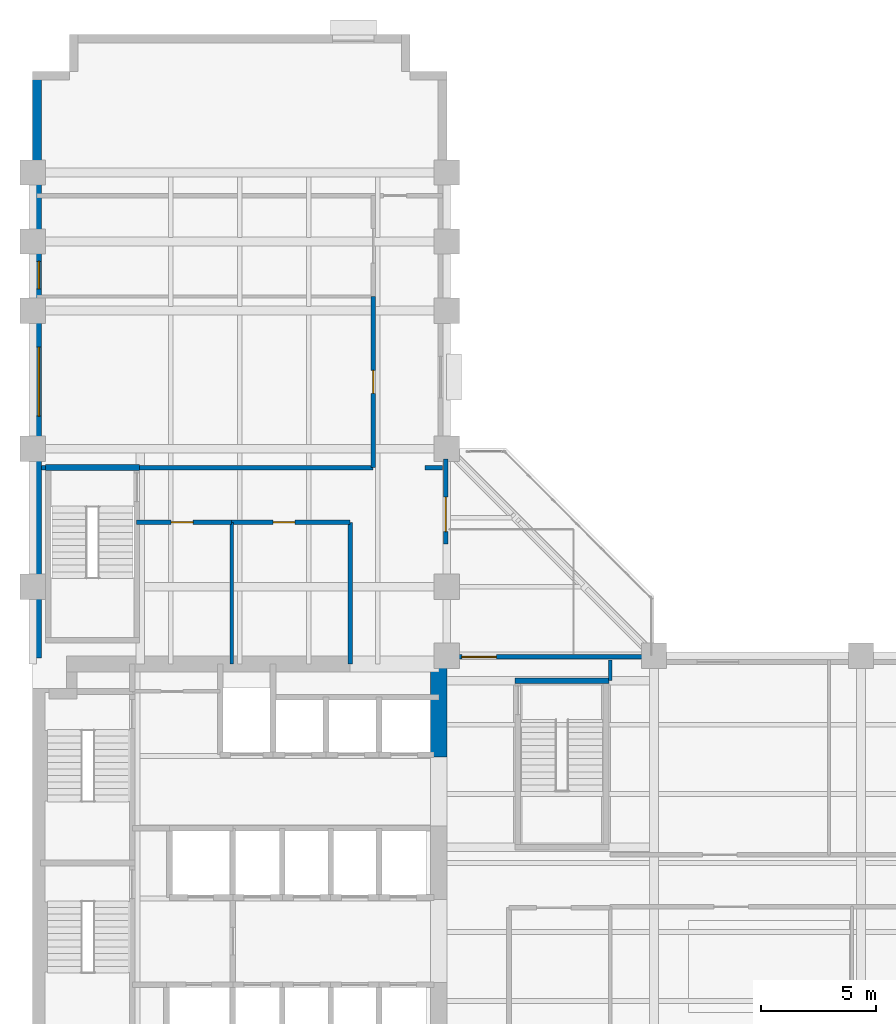
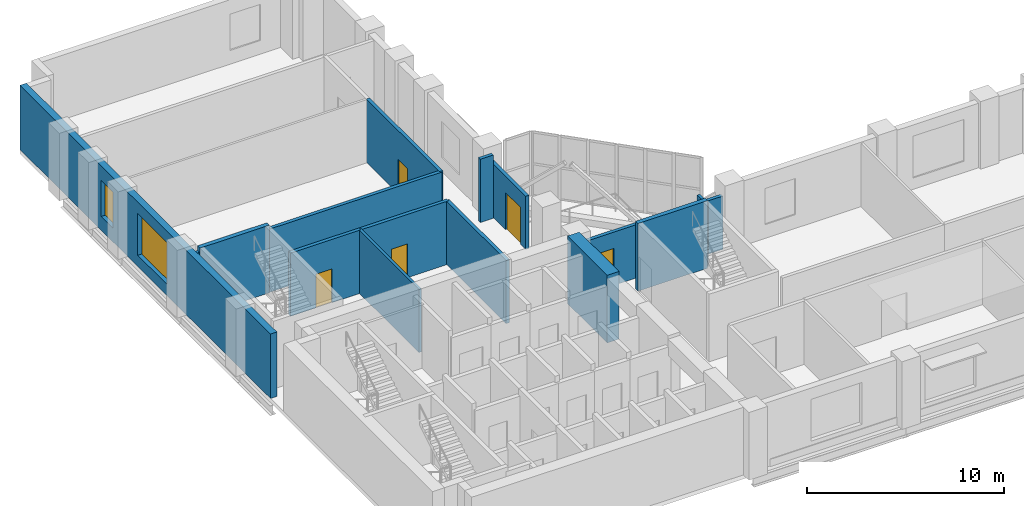
# One storey, part 6 of 10: 15 walls, 5 doors, 2 windows, 7 openings.
"""IFC4 building model written with IfcOpenShell, lengths in metres."""

from ifc_helpers import new_model, si_unit, direction, frame, frame_2d, origin, place, context, subcontext, project, spatial, rectangle, extrude, material, layer, layer_set, type_object, element, fill, save


model = new_model("IFC4")

# Units and contexts
model_context = context("Model", 3, precision=1e-05, world=origin(), true_north=direction((0.0, 1.0)))
body_context = subcontext(model_context, "Body", "Model", "MODEL_VIEW")
ifc_project = project(units=[si_unit("LENGTHUNIT", "METRE"), si_unit("AREAUNIT", "SQUARE_METRE"), si_unit("VOLUMEUNIT", "CUBIC_METRE"), si_unit("PLANEANGLEUNIT", "RADIAN"), si_unit("MASSUNIT", "GRAM", prefix="KILO")], contexts=[model_context])

# Site, building, storey
site_placement = place(None, origin())
site = spatial("IfcSite", under=ifc_project, at=site_placement, CompositionType="ELEMENT")
building_placement = place(site_placement, origin())
building = spatial("IfcBuilding", under=site, at=building_placement, Name="Mawjdan Bourse Tower", CompositionType="ELEMENT")
storey_placement = place(building_placement, frame((0.0, 0.0, 89.10009765625)))
storey = spatial("IfcBuildingStorey", under=building, at=storey_placement, Name="L20", CompositionType="ELEMENT", Elevation=89.10009765625)

# Wall, openings, windows
ifc_material_1 = material(Name="Brick Masonry Terracotta Red", Category="masonry")
ifc_layer_1 = layer(ifc_material_1, 0.3798828125)
ifc_layer_set_1 = layer_set([ifc_layer_1], Name="Brick Masonry Terracotta Red")
wall_type_1 = type_object("IfcWallType", Name="WL-BRK-RED-380", PredefinedType="STANDARD", material=ifc_layer_set_1)
wall_1_placement = place(storey_placement, frame((6.18994140625, 46.39990234375, 0.0), z_axis=(0.0, 0.0, 1.0), x_axis=(0.0, -1.0, 0.0)))
wall_1 = element("IfcWall", 1, at=wall_1_placement, inside=storey, type_object=wall_type_1, Name="L20 Exterior Brick Wall 14", PredefinedType="STANDARD", context=body_context, shape_type="SweptSolid", body=[
    extrude(rectangle(XDim=25.5, YDim=0.3798828125, at=frame_2d((12.75, 0.0))), origin(), (0.0, 0.0, 1.0), 4.0),
])
opening_1_placement = place(wall_1_placement, frame((11.984375, 0.0, 0.699951171875)))
opening_1 = element("IfcOpeningElement", 2, at=opening_1_placement, cuts=wall_1, Name="Opening W-L20-12", PredefinedType="OPENING", context=body_context, shape_type="SweptSolid", body=[
    extrude(rectangle(XDim=3.0, YDim=2.60009765625, at=frame_2d((1.5, 1.300048828125))), frame((0.0, 0.199951171875, 0.0), z_axis=(0.0, -1.0, 0.0), x_axis=(1.0, 0.0, 0.0)), (0.0, 0.0, 1.0), 0.39990234375),
])
opening_2_placement = place(wall_1_placement, frame((8.25439453125, 0.0, 0.85009765625)))
opening_2 = element("IfcOpeningElement", 3, at=opening_2_placement, cuts=wall_1, Name="Opening W-L20-13", PredefinedType="OPENING", context=body_context, shape_type="SweptSolid", body=[
    extrude(rectangle(XDim=1.199951171875, YDim=2.25, at=frame_2d((0.60009765625, 1.125))), frame((0.0, 0.199951171875, 0.0), z_axis=(0.0, -1.0, 0.0), x_axis=(1.0, 0.0, 0.0)), (0.0, 0.0, 1.0), 0.39990234375),
])
ifc_material_2 = material(Name="Solar-Control Clear Double Glazing", Category="glass")
window_type_1 = type_object("IfcWindowType", Name="WN-SKY-3000", PartitioningType="SINGLE_PANEL", PredefinedType="WINDOW", material=ifc_material_2)
window_1_placement = place(opening_1_placement, origin())
window_1 = element("IfcWindow", 4, at=window_1_placement, inside=storey, type_object=window_type_1, Name="L20 Deep-Set Masonry Window W-L20-12", OverallHeight=2.60009765625, OverallWidth=3.0, PartitioningType="SINGLE_PANEL", PredefinedType="WINDOW", context=body_context, shape_type="SweptSolid", body=[
    extrude(rectangle(XDim=3.0, YDim=2.60009765625, at=frame_2d((1.5, 1.300048828125))), frame((0.0, 0.110107421875, 0.0), z_axis=(0.0, -1.0, 0.0), x_axis=(1.0, 0.0, 0.0)), (0.0, 0.0, 1.0), 0.06005859375),
])
fill(opening_1, window_1)
window_type_2 = type_object("IfcWindowType", Name="WN-Z2-1200", PartitioningType="SINGLE_PANEL", PredefinedType="WINDOW", material=ifc_material_2)
window_2_placement = place(opening_2_placement, origin())
window_2 = element("IfcWindow", 5, at=window_2_placement, inside=storey, type_object=window_type_2, Name="L20 Deep-Set Masonry Window W-L20-13", OverallHeight=2.25, OverallWidth=1.199951171875, PartitioningType="SINGLE_PANEL", PredefinedType="WINDOW", context=body_context, shape_type="SweptSolid", body=[
    extrude(rectangle(XDim=1.199951171875, YDim=2.25, at=frame_2d((0.60009765625, 1.125))), frame((0.0, 0.110107421875, 0.0), z_axis=(0.0, -1.0, 0.0), x_axis=(1.0, 0.0, 0.0)), (0.0, 0.0, 1.0), 0.06005859375),
])
fill(opening_2, window_2)

# Wall, opening, door
ifc_material_3 = material(Name="Gypsum Fireboard Assembly")
ifc_layer_2 = layer(ifc_material_3, 0.199951171875)
ifc_layer_set_2 = layer_set([ifc_layer_2], Name="Gypsum Fireboard Assembly")
wall_type_2 = type_object("IfcWallType", Name="WL-CMP-200", PredefinedType="PARTITIONING", material=ifc_layer_set_2)
wall_2_placement = place(storey_placement, frame((23.949951171875, 25.85009765625, 0.0), z_axis=(0.0, 0.0, 1.0), x_axis=(0.0, 1.0, 0.0)))
wall_2 = element("IfcWall", 6, at=wall_2_placement, inside=storey, type_object=wall_type_2, Name="L20 Sky Bridge West Portal Wall", PredefinedType="PARTITIONING", context=body_context, shape_type="SweptSolid", body=[
    extrude(rectangle(XDim=3.699951171875, YDim=0.199951171875, at=frame_2d((1.85009765625, 0.0))), origin(), (0.0, 0.0, 1.0), 3.31298828125),
])
opening_3_placement = place(wall_2_placement, frame((0.550048828125, 0.0, 0.0)))
opening_3 = element("IfcOpeningElement", 7, at=opening_3_placement, cuts=wall_2, Name="Opening BD-L20-24", PredefinedType="OPENING", context=body_context, shape_type="SweptSolid", body=[
    extrude(rectangle(XDim=1.5, YDim=2.300048828125, at=frame_2d((0.75, 1.14990234375))), frame((0.0, 0.10986328125, 0.0), z_axis=(0.0, -1.0, 0.0), x_axis=(1.0, 0.0, 0.0)), (0.0, 0.0, 1.0), 0.219970703125),
])
ifc_material_4 = material(Name="Acoustic Glazed Timber", Category="wood")
door_type_1 = type_object("IfcDoorType", Name="DR-CNF-1500", OperationType="DOUBLE_DOOR_SINGLE_SWING", PredefinedType="DOOR", material=ifc_material_4)
door_1_placement = place(opening_3_placement, origin())
door_1 = element("IfcDoor", 8, at=door_1_placement, inside=storey, type_object=door_type_1, Name="L20 Sky Bridge West Portal Door BD-L20-24", OperationType="DOUBLE_DOOR_SINGLE_SWING", OverallHeight=2.300048828125, OverallWidth=1.5, PredefinedType="DOOR", context=body_context, shape_type="SweptSolid", body=[
    extrude(rectangle(XDim=1.5, YDim=2.300048828125, at=frame_2d((0.75, 1.14990234375))), frame((0.0, 0.02490234375, 0.0), z_axis=(0.0, -1.0, 0.0), x_axis=(1.0, 0.0, 0.0)), (0.0, 0.0, 1.0), 0.050048828125),
])
fill(opening_3, door_1)

wall_3_placement = place(storey_placement, frame((24.050048828125, 20.949951171875, 0.0), z_axis=(0.0, 0.0, 1.0), x_axis=(1.0, 0.0, 0.0)))
wall_3 = element("IfcWall", 9, at=wall_3_placement, inside=storey, type_object=wall_type_2, Name="L20 Sky Bridge South Portal Wall", PredefinedType="PARTITIONING", context=body_context, shape_type="SweptSolid", body=[
    extrude(rectangle(XDim=8.5, YDim=0.199951171875, at=frame_2d((4.25, 0.0))), origin(), (0.0, 0.0, 1.0), 3.31298828125),
])
opening_4_placement = place(wall_3_placement, frame((0.60009765625, 0.0, 0.0)))
opening_4 = element("IfcOpeningElement", 10, at=opening_4_placement, cuts=wall_3, Name="Opening BD-L20-25", PredefinedType="OPENING", context=body_context, shape_type="SweptSolid", body=[
    extrude(rectangle(XDim=1.5, YDim=2.300048828125, at=frame_2d((0.75, 1.14990234375))), frame((0.0, 0.10986328125, 0.0), z_axis=(0.0, -1.0, 0.0), x_axis=(1.0, 0.0, 0.0)), (0.0, 0.0, 1.0), 0.219970703125),
])
door_2_placement = place(opening_4_placement, origin())
door_2 = element("IfcDoor", 11, at=door_2_placement, inside=storey, type_object=door_type_1, Name="L20 Sky Bridge South Portal Door BD-L20-25", OperationType="DOUBLE_DOOR_SINGLE_SWING", OverallHeight=2.300048828125, OverallWidth=1.5, PredefinedType="DOOR", context=body_context, shape_type="SweptSolid", body=[
    extrude(rectangle(XDim=1.5, YDim=2.300048828125, at=frame_2d((0.75, 1.14990234375))), frame((0.0, 0.02490234375, 0.0), z_axis=(0.0, -1.0, 0.0), x_axis=(1.0, 0.0, 0.0)), (0.0, 0.0, 1.0), 0.050048828125),
])
fill(opening_4, door_2)

wall_4_placement = place(storey_placement, frame((10.52001953125, 26.800048828125, 0.0), z_axis=(0.0, 0.0, 1.0), x_axis=(1.0, 0.0, 0.0)))
wall_4 = element("IfcWall", 12, at=wall_4_placement, inside=storey, type_object=wall_type_2, Name="L20 Wing WC North Wall", PredefinedType="PARTITIONING", context=body_context, shape_type="SweptSolid", body=[
    extrude(rectangle(XDim=4.1298828125, YDim=0.199951171875, at=frame_2d((2.06494140625, 0.0))), origin(), (0.0, 0.0, 1.0), 3.929931640625),
])
opening_5_placement = place(wall_4_placement, frame((1.5, 0.0, 0.0)))
opening_5 = element("IfcOpeningElement", 13, at=opening_5_placement, cuts=wall_4, Name="Opening D-L20-34", PredefinedType="OPENING", context=body_context, shape_type="SweptSolid", body=[
    extrude(rectangle(XDim=0.949951171875, YDim=2.10009765625, at=frame_2d((0.47509765625, 1.050048828125))), frame((0.0, 0.10986328125, 0.0), z_axis=(0.0, -1.0, 0.0), x_axis=(1.0, 0.0, 0.0)), (0.0, 0.0, 1.0), 0.219970703125),
])
ifc_material_5 = material(Name="Moisture-Resistant Laminate Timber", Category="wood")
door_type_2 = type_object("IfcDoorType", Name="DR-WET-0950", OperationType="NOTDEFINED", PredefinedType="DOOR", material=ifc_material_5)
door_3_placement = place(opening_5_placement, origin())
door_3 = element("IfcDoor", 14, at=door_3_placement, inside=storey, type_object=door_type_2, Name="L20 Wing Accessible WC Door D-L20-34", OperationType="SINGLE_SWING_RIGHT", OverallHeight=2.10009765625, OverallWidth=0.949951171875, PredefinedType="DOOR", context=body_context, shape_type="SweptSolid", body=[
    extrude(rectangle(XDim=0.949951171875, YDim=2.10009765625, at=frame_2d((0.47509765625, 1.050048828125))), frame((0.0, 0.02490234375, 0.0), z_axis=(0.0, -1.0, 0.0), x_axis=(1.0, 0.0, 0.0)), (0.0, 0.0, 1.0), 0.050048828125),
])
fill(opening_5, door_3)

wall_5_placement = place(storey_placement, frame((14.64990234375, 26.800048828125, 0.0), z_axis=(0.0, 0.0, 1.0), x_axis=(1.0, 0.0, 0.0)))
wall_5 = element("IfcWall", 15, at=wall_5_placement, inside=storey, type_object=wall_type_2, Name="L20 Wing Restroom North Wall", PredefinedType="PARTITIONING", context=body_context, shape_type="SweptSolid", body=[
    extrude(rectangle(XDim=5.150146484375, YDim=0.199951171875, at=frame_2d((2.5751953125, 0.0))), origin(), (0.0, 0.0, 1.0), 3.929931640625),
])
opening_6_placement = place(wall_5_placement, frame((1.800048828125, 0.0, 0.0)))
opening_6 = element("IfcOpeningElement", 16, at=opening_6_placement, cuts=wall_5, Name="Opening D-L20-35", PredefinedType="OPENING", context=body_context, shape_type="SweptSolid", body=[
    extrude(rectangle(XDim=0.949951171875, YDim=2.10009765625, at=frame_2d((0.47509765625, 1.050048828125))), frame((0.0, 0.10986328125, 0.0), z_axis=(0.0, -1.0, 0.0), x_axis=(1.0, 0.0, 0.0)), (0.0, 0.0, 1.0), 0.219970703125),
])
door_4_placement = place(opening_6_placement, origin())
door_4 = element("IfcDoor", 17, at=door_4_placement, inside=storey, type_object=door_type_2, Name="L20 Wing Restroom Door D-L20-35", OperationType="SINGLE_SWING_LEFT", OverallHeight=2.10009765625, OverallWidth=0.949951171875, PredefinedType="DOOR", context=body_context, shape_type="SweptSolid", body=[
    extrude(rectangle(XDim=0.949951171875, YDim=2.10009765625, at=frame_2d((0.47509765625, 1.050048828125))), frame((0.0, 0.02490234375, 0.0), z_axis=(0.0, -1.0, 0.0), x_axis=(1.0, 0.0, 0.0)), (0.0, 0.0, 1.0), 0.050048828125),
])
fill(opening_6, door_4)

# Walls
wall_6_placement = place(storey_placement, frame((19.800048828125, 20.64990234375, 0.0), z_axis=(0.0, 0.0, 1.0), x_axis=(0.0, 1.0, 0.0)))
element("IfcWall", 18, at=wall_6_placement, inside=storey, type_object=wall_type_2, Name="L20 Wing Restroom East Wall", PredefinedType="PARTITIONING", context=body_context, shape_type="SweptSolid", body=[
    extrude(rectangle(XDim=6.150146484375, YDim=0.199951171875, at=frame_2d((3.0751953125, 0.0))), origin(), (0.0, 0.0, 1.0), 3.929931640625),
])
wall_7_placement = place(storey_placement, frame((6.3798828125, 29.179931640625, 0.0), z_axis=(0.0, 0.0, 1.0), x_axis=(1.0, 0.0, 0.0)))
element("IfcWall", 19, at=wall_7_placement, inside=storey, type_object=wall_type_2, Name="L20 North West Band ST3 West Return", PredefinedType="PARTITIONING", context=body_context, shape_type="SweptSolid", body=[
    extrude(rectangle(XDim=0.175048828125, YDim=0.199951171875, at=frame_2d((0.08740234375, 0.0))), origin(), (0.0, 0.0, 1.0), 3.929931640625),
])
wall_8_placement = place(storey_placement, frame((10.6298828125, 29.179931640625, 0.0), z_axis=(0.0, 0.0, 1.0), x_axis=(1.0, 0.0, 0.0)))
element("IfcWall", 20, at=wall_8_placement, inside=storey, type_object=wall_type_2, Name="L20 North West Band South Wall", PredefinedType="PARTITIONING", context=body_context, shape_type="SweptSolid", body=[
    extrude(rectangle(XDim=10.170166015625, YDim=0.199951171875, at=frame_2d((5.0849609375, 0.0))), origin(), (0.0, 0.0, 1.0), 3.929931640625),
])
wall_9_placement = place(storey_placement, frame((23.050048828125, 29.179931640625, 0.0), z_axis=(0.0, 0.0, 1.0), x_axis=(1.0, 0.0, 0.0)))
element("IfcWall", 21, at=wall_9_placement, inside=storey, type_object=wall_type_2, Name="L20 North East Band South Wall", PredefinedType="PARTITIONING", context=body_context, shape_type="SweptSolid", body=[
    extrude(rectangle(XDim=0.77001953125, YDim=0.199951171875, at=frame_2d((0.385009765625, 0.0))), origin(), (0.0, 0.0, 1.0), 3.929931640625),
])

# Wall, opening, door
wall_10_placement = place(storey_placement, frame((20.800048828125, 29.179931640625, 0.0), z_axis=(0.0, 0.0, 1.0), x_axis=(0.0, 1.0, 0.0)))
wall_10 = element("IfcWall", 22, at=wall_10_placement, inside=storey, type_object=wall_type_2, Name="L20 Brokerage Reception Hall Corridor Wall", PredefinedType="PARTITIONING", context=body_context, shape_type="SweptSolid", body=[
    extrude(rectangle(XDim=7.440185546875, YDim=0.199951171875, at=frame_2d((3.72021484375, 0.0))), origin(), (0.0, 0.0, 1.0), 3.929931640625),
])
opening_7_placement = place(wall_10_placement, frame((3.219970703125, 0.0, 0.0)))
opening_7 = element("IfcOpeningElement", 23, at=opening_7_placement, cuts=wall_10, Name="Opening D-L20-36", PredefinedType="OPENING", context=body_context, shape_type="SweptSolid", body=[
    extrude(rectangle(XDim=1.0, YDim=2.14990234375, at=frame_2d((0.5, 1.074951171875))), frame((0.0, 0.10986328125, 0.0), z_axis=(0.0, -1.0, 0.0), x_axis=(1.0, 0.0, 0.0)), (0.0, 0.0, 1.0), 0.219970703125),
])
ifc_material_6 = material(Name="Hardwood Acoustic Leaf", Category="wood")
door_type_3 = type_object("IfcDoorType", Name="DR-OFC-1000", OperationType="NOTDEFINED", PredefinedType="DOOR", material=ifc_material_6)
door_5_placement = place(opening_7_placement, origin())
door_5 = element("IfcDoor", 24, at=door_5_placement, inside=storey, type_object=door_type_3, Name="L20 Brokerage Reception Hall Door D-L20-36", OperationType="SINGLE_SWING_RIGHT", OverallHeight=2.14990234375, OverallWidth=1.0, PredefinedType="DOOR", context=body_context, shape_type="SweptSolid", body=[
    extrude(rectangle(XDim=1.0, YDim=2.14990234375, at=frame_2d((0.5, 1.074951171875))), frame((0.0, 0.02490234375, 0.0), z_axis=(0.0, -1.0, 0.0), x_axis=(1.0, 0.0, 0.0)), (0.0, 0.0, 1.0), 0.050048828125),
])
fill(opening_7, door_5)

# Walls
ifc_material_7 = material(Name="Concrete C70/85", Category="concrete")
ifc_layer_3 = layer(ifc_material_7, 0.699951171875)
ifc_layer_set_3 = layer_set([ifc_layer_3], Name="Concrete C70/85")
wall_type_3 = type_object("IfcWallType", Name="WL-CORE-700", PredefinedType="SHEAR", material=ifc_layer_set_3)
wall_11_placement = place(storey_placement, frame((23.64990234375, 16.60009765625, 0.0), z_axis=(0.0, 0.0, 1.0), x_axis=(0.0, 1.0, 0.0)))
element("IfcWall", 25, at=wall_11_placement, inside=storey, type_object=wall_type_3, Name="L20 Rear Core Shear Wall E3", PredefinedType="SHEAR", context=body_context, shape_type="SweptSolid", body=[
    extrude(rectangle(XDim=4.0498046875, YDim=0.699951171875, at=frame_2d((2.02490234375, 0.0))), origin(), (0.0, 0.0, 1.0), 4.199951171875),
])
ifc_material_8 = material(Name="Gypsum Acoustic Partition")
ifc_layer_4 = layer(ifc_material_8, 0.14990234375)
ifc_layer_set_4 = layer_set([ifc_layer_4], Name="Gypsum Acoustic Partition")
wall_type_4 = type_object("IfcWallType", Name="WL-PRT-150", PredefinedType="PARTITIONING", material=ifc_layer_set_4)
wall_12_placement = place(storey_placement, frame((31.10009765625, 19.919921875, 0.0), z_axis=(0.0, 0.0, 1.0), x_axis=(0.0, 1.0, 0.0)))
element("IfcWall", 26, at=wall_12_placement, inside=storey, type_object=wall_type_4, Name="L20 Sky Lobby ST5 North Return", PredefinedType="PARTITIONING", context=body_context, shape_type="SweptSolid", body=[
    extrude(rectangle(XDim=0.900146484375, YDim=0.14990234375, at=frame_2d((0.4501953125, 0.0))), origin(), (0.0, 0.0, 1.0), 3.929931640625),
])
wall_13_placement = place(storey_placement, frame((14.64990234375, 20.64990234375, 0.0), z_axis=(0.0, 0.0, 1.0), x_axis=(0.0, 1.0, 0.0)))
element("IfcWall", 27, at=wall_13_placement, inside=storey, type_object=wall_type_4, Name="L20 Wing WC Split Wall", PredefinedType="PARTITIONING", context=body_context, shape_type="SweptSolid", body=[
    extrude(rectangle(XDim=6.150146484375, YDim=0.14990234375, at=frame_2d((3.0751953125, 0.0))), origin(), (0.0, 0.0, 1.0), 3.929931640625),
])
ifc_material_9 = material(Name="Concrete C50/60", Category="concrete")
ifc_layer_5 = layer(ifc_material_9, 0.25)
ifc_layer_set_5 = layer_set([ifc_layer_5], Name="Concrete C50/60")
wall_type_5 = type_object("IfcWallType", Name="WL-STRW-250", PredefinedType="SHEAR", material=ifc_layer_set_5)
wall_14_placement = place(storey_placement, frame((26.955078125, 19.919921875, 0.0), z_axis=(0.0, 0.0, 1.0), x_axis=(1.0, 0.0, 0.0)))
element("IfcWall", 28, at=wall_14_placement, inside=storey, type_object=wall_type_5, Name="L20 ST5A North Shaft Wall", PredefinedType="SHEAR", context=body_context, shape_type="SweptSolid", body=[
    extrude(rectangle(XDim=4.08984375, YDim=0.25, at=frame_2d((2.044921875, 0.0))), origin(), (0.0, 0.0, 1.0), 4.199951171875),
])
wall_15_placement = place(storey_placement, frame((6.554931640625, 29.179931640625, 0.0), z_axis=(0.0, 0.0, 1.0), x_axis=(1.0, 0.0, 0.0)))
element("IfcWall", 29, at=wall_15_placement, inside=storey, type_object=wall_type_5, Name="L20 ST3 North Shaft Wall", PredefinedType="SHEAR", context=body_context, shape_type="SweptSolid", body=[
    extrude(rectangle(XDim=4.090087890625, YDim=0.25, at=frame_2d((2.044921875, 0.0))), origin(), (0.0, 0.0, 1.0), 4.199951171875),
])

save(model, "model.ifc")
